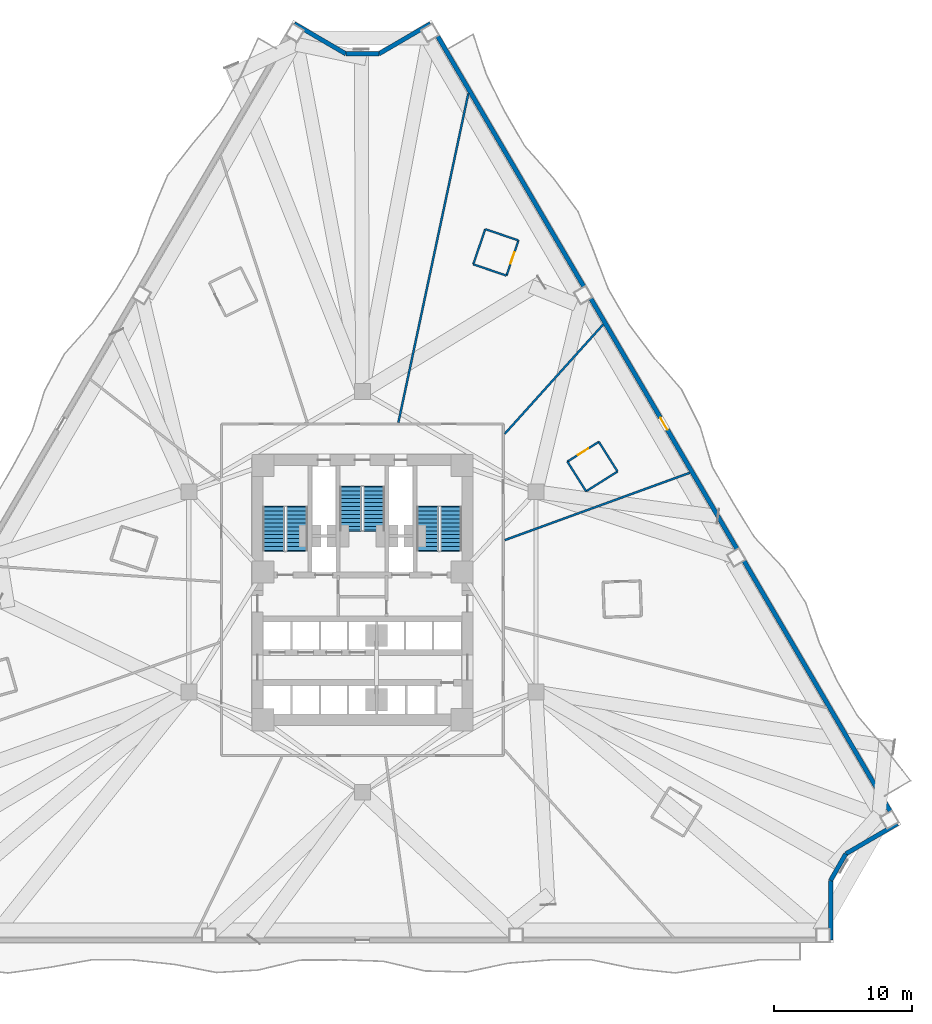
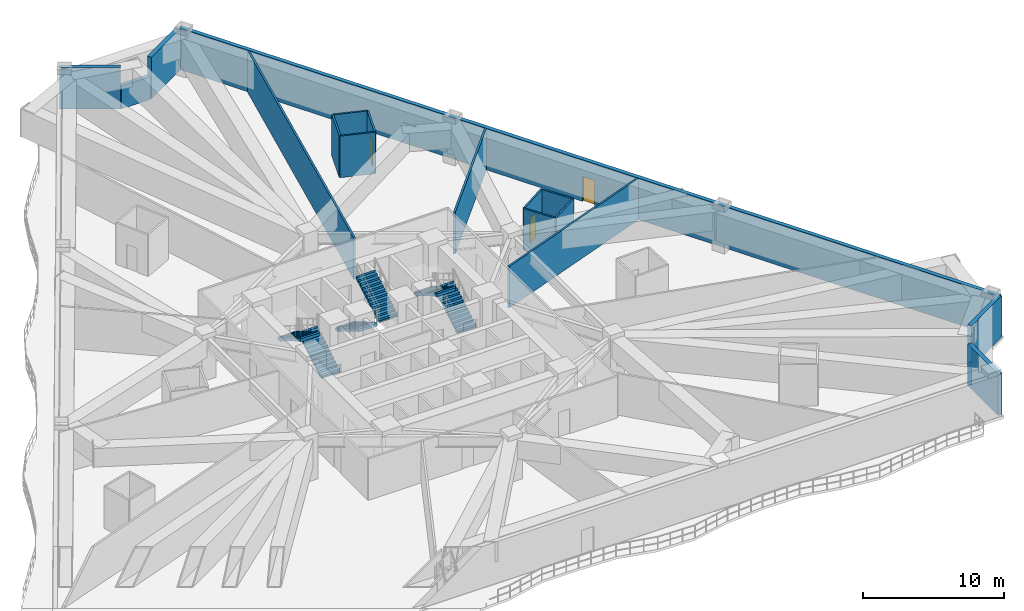
# One storey, part 11 of 16: 18 walls, 6 stair flights, 3 doors, 3 openings, 3 elements without a shape of their own.
"""IFC4 building model written with IfcOpenShell, lengths in metres."""

from ifc_helpers import new_model, si_unit, direction, frame, frame_2d, origin, place, context, subcontext, project, spatial, polyline, rectangle, outline, extrude, material, layer, layer_set, type_object, element, fill, aggregate, save


model = new_model("IFC4")

# Units and contexts
model_context = context("Model", 3, precision=1e-05, world=origin(), true_north=direction((0.0, 1.0)))
body_context = subcontext(model_context, "Body", "Model", "MODEL_VIEW")
ifc_project = project(units=[si_unit("LENGTHUNIT", "METRE"), si_unit("AREAUNIT", "SQUARE_METRE"), si_unit("VOLUMEUNIT", "CUBIC_METRE"), si_unit("PLANEANGLEUNIT", "RADIAN"), si_unit("MASSUNIT", "GRAM", prefix="KILO")], contexts=[model_context])

# Site, building, storey
site_placement = place(None, origin())
site = spatial("IfcSite", under=ifc_project, at=site_placement, CompositionType="ELEMENT")
building_placement = place(site_placement, origin())
building = spatial("IfcBuilding", under=site, at=building_placement, Name="Apsidion Concourse Tower", CompositionType="ELEMENT")
storey_placement = place(building_placement, frame((0.0, 0.0, 58.39990234375)))
storey = spatial("IfcBuildingStorey", under=building, at=storey_placement, Name="L12", CompositionType="ELEMENT", Elevation=58.39990234375)

# Wall, opening, door
ifc_material_1 = material(Name="Precast concrete C40/50", Category="concrete")
ifc_layer_1 = layer(ifc_material_1, 0.320068359375)
ifc_layer_set_1 = layer_set([ifc_layer_1], Name="Precast concrete C40/50")
wall_type_1 = type_object("IfcWallType", Name="WL-EXT-320", PredefinedType="STANDARD", material=ifc_layer_set_1)
wall_1_placement = place(storey_placement, frame((4.9228515625, 41.121826171875, 0.0), z_axis=(0.0, 0.0, 1.0), x_axis=(0.504213113214, -0.863579258935, 0.0)))
wall_1 = element("IfcWall", 1, at=wall_1_placement, inside=storey, type_object=wall_type_1, Name="L12 Precast Stone Facade Wall 01", PredefinedType="STANDARD", context=body_context, shape_type="SweptSolid", body=[
    extrude(rectangle(XDim=67.041015625, YDim=0.320068359375, at=frame_2d((33.5205078125, 0.0))), origin(), (0.0, 0.0, 1.0), 3.60009765625),
])
opening_1_placement = place(wall_1_placement, frame((33.0205078125, 0.0, 0.0)))
opening_1 = element("IfcOpeningElement", 2, at=opening_1_placement, cuts=wall_1, Name="Opening D-T1L", PredefinedType="OPENING", context=body_context, shape_type="SweptSolid", body=[
    extrude(rectangle(XDim=1.0, YDim=2.14990234375, at=frame_2d((0.5, 1.074951171875))), frame((0.0, 0.169921875, 0.0), z_axis=(0.0, -1.0, 0.0), x_axis=(1.0, 0.0, 0.0)), (0.0, 0.0, 1.0), 0.340087890625),
])
ifc_material_2 = material(Name="Anodised aluminium EN AW-6063 T6", Category="aluminium")
door_type_1 = type_object("IfcDoorType", Name="DR-TER-1022L", OperationType="SINGLE_SWING_LEFT", PredefinedType="DOOR", material=ifc_material_2)
door_1_placement = place(opening_1_placement, origin())
door_1 = element("IfcDoor", 3, at=door_1_placement, inside=storey, type_object=door_type_1, Name="L12 Balcony Access Door 3", OperationType="SINGLE_SWING_LEFT", OverallHeight=2.14990234375, OverallWidth=1.0, PredefinedType="DOOR", context=body_context, shape_type="SweptSolid", body=[
    extrude(rectangle(XDim=1.0, YDim=2.14990234375, at=frame_2d((0.5, 1.074951171875))), frame((0.0, 0.02490234375, 0.0), z_axis=(0.0, -1.0, 0.0), x_axis=(1.0, 0.0, 0.0)), (0.0, 0.0, 1.0), 0.050048828125),
])
fill(opening_1, door_1)

# Walls
wall_2_placement = place(storey_placement, frame((38.725830078125, -16.7734375, 0.0), z_axis=(0.0, 0.0, 1.0), x_axis=(-0.863569936823, -0.504229079105, 0.0)))
element("IfcWall", 4, at=wall_2_placement, inside=storey, type_object=wall_type_1, Name="L12 Precast Stone Facade Wall 02", PredefinedType="STANDARD", context=body_context, shape_type="SweptSolid", body=[
    extrude(rectangle(XDim=4.32373046875, YDim=0.320068359375, at=frame_2d((2.161865234375, 0.0))), origin(), (0.0, 0.0, 1.0), 3.60009765625),
])
wall_3_placement = place(storey_placement, frame((34.991943359375, -18.95361328125, 0.0), z_axis=(0.0, 0.0, 1.0), x_axis=(-0.497881323344, -0.867245171717, 0.0)))
element("IfcWall", 5, at=wall_3_placement, inside=storey, type_object=wall_type_1, Name="L12 Precast Stone Facade Wall 03", PredefinedType="STANDARD", context=body_context, shape_type="SweptSolid", body=[
    extrude(rectangle(XDim=2.216796875, YDim=0.320068359375, at=frame_2d((1.1083984375, 0.0))), origin(), (0.0, 0.0, 1.0), 1.97998046875),
])
wall_4_placement = place(storey_placement, frame((33.88818359375, -20.876220703125, 0.0), z_axis=(0.0, 0.0, 1.0), x_axis=(0.0, -1.0, 0.0)))
element("IfcWall", 6, at=wall_4_placement, inside=storey, type_object=wall_type_1, Name="L12 Precast Stone Facade Wall 04", PredefinedType="STANDARD", context=body_context, shape_type="SweptSolid", body=[
    extrude(rectangle(XDim=4.32373046875, YDim=0.320068359375, at=frame_2d((2.161865234375, 0.0))), origin(), (0.0, 0.0, 1.0), 3.60009765625),
])
wall_5_placement = place(storey_placement, frame((-4.9228515625, 41.121826171875, 0.0), z_axis=(0.0, 0.0, 1.0), x_axis=(0.863588414101, -0.50419743259, 0.0)))
element("IfcWall", 7, at=wall_5_placement, inside=storey, type_object=wall_type_1, Name="L12 Precast Stone Facade Wall 10", PredefinedType="STANDARD", context=body_context, shape_type="SweptSolid", body=[
    extrude(rectangle(XDim=4.324462890625, YDim=0.320068359375, at=frame_2d((2.162109375, 0.0))), origin(), (0.0, 0.0, 1.0), 3.60009765625),
])
wall_6_placement = place(storey_placement, frame((-1.188232421875, 38.94140625, 0.0), z_axis=(0.0, 0.0, 1.0), x_axis=(1.0, 0.0, 0.0)))
element("IfcWall", 8, at=wall_6_placement, inside=storey, type_object=wall_type_1, Name="L12 Precast Stone Facade Wall 11", PredefinedType="STANDARD", context=body_context, shape_type="SweptSolid", body=[
    extrude(rectangle(XDim=2.37646484375, YDim=0.320068359375, at=frame_2d((1.188232421875, 0.0))), origin(), (0.0, 0.0, 1.0), 1.97998046875),
])
wall_7_placement = place(storey_placement, frame((1.188232421875, 38.94140625, 0.0), z_axis=(0.0, 0.0, 1.0), x_axis=(0.863588414101, 0.50419743259, 0.0)))
element("IfcWall", 9, at=wall_7_placement, inside=storey, type_object=wall_type_1, Name="L12 Precast Stone Facade Wall 12", PredefinedType="STANDARD", context=body_context, shape_type="SweptSolid", body=[
    extrude(rectangle(XDim=4.324462890625, YDim=0.320068359375, at=frame_2d((2.162109375, 0.0))), origin(), (0.0, 0.0, 1.0), 3.60009765625),
])
ifc_material_3 = material(Name="Gypsum plasterboard partition")
ifc_layer_2 = layer(ifc_material_3, 0.139892578125)
ifc_layer_set_2 = layer_set([ifc_layer_2], Name="Gypsum plasterboard partition")
wall_type_2 = type_object("IfcWallType", Name="WL-INT-PAR-140", PredefinedType="PARTITIONING", material=ifc_layer_set_2)
wall_8_placement = place(storey_placement, frame((16.19287109375, 7.283203125, 0.0), z_axis=(0.0, 0.0, 1.0), x_axis=(0.846152501914, 0.532940844282, 0.0)))
element("IfcWall", 10, at=wall_8_placement, inside=storey, type_object=wall_type_2, Name="L12 Interior Partition WL-L12-POD-ENS06-S1", PredefinedType="PARTITIONING", context=body_context, shape_type="SweptSolid", body=[
    extrude(rectangle(XDim=2.68994140625, YDim=0.139892578125, at=frame_2d((1.344970703125, 0.0))), origin(), (0.0, 0.0, 1.0), 3.60009765625),
])
wall_9_placement = place(storey_placement, frame((18.468994140625, 8.716796875, 0.0), z_axis=(0.0, 0.0, 1.0), x_axis=(-0.53290759563, 0.846173442339, 0.0)))
element("IfcWall", 11, at=wall_9_placement, inside=storey, type_object=wall_type_2, Name="L12 Interior Partition WL-L12-POD-ENS06-S2", PredefinedType="PARTITIONING", context=body_context, shape_type="SweptSolid", body=[
    extrude(rectangle(XDim=2.539794921875, YDim=0.139892578125, at=frame_2d((1.27001953125, 0.0))), origin(), (0.0, 0.0, 1.0), 3.60009765625),
])

# Wall, opening, door
wall_10_placement = place(storey_placement, frame((17.115478515625, 10.865966796875, 0.0), z_axis=(0.0, 0.0, 1.0), x_axis=(-0.846193429407, -0.532875857991, 0.0)))
wall_10 = element("IfcWall", 12, at=wall_10_placement, inside=storey, type_object=wall_type_2, Name="L12 Interior Partition WL-L12-POD-ENS06-S3", PredefinedType="PARTITIONING", context=body_context, shape_type="SweptSolid", body=[
    extrude(rectangle(XDim=2.68994140625, YDim=0.139892578125, at=frame_2d((1.344970703125, 0.0))), origin(), (0.0, 0.0, 1.0), 3.60009765625),
])
opening_2_placement = place(wall_10_placement, frame((0.905029296875, 0.0, 0.0)))
opening_2 = element("IfcOpeningElement", 13, at=opening_2_placement, cuts=wall_10, Name="Opening D-03L", PredefinedType="OPENING", context=body_context, shape_type="SweptSolid", body=[
    extrude(rectangle(XDim=0.8798828125, YDim=2.10009765625, at=frame_2d((0.43994140625, 1.050048828125))), frame((0.0, 0.080078125, 0.0), z_axis=(0.0, -1.0, 0.0), x_axis=(1.0, 0.0, 0.0)), (0.0, 0.0, 1.0), 0.159912109375),
])
door_type_2 = type_object("IfcDoorType", Name="DR-INT-D03L", OperationType="SINGLE_SWING_LEFT", PredefinedType="DOOR", material=ifc_material_2)
door_2_placement = place(opening_2_placement, origin())
door_2 = element("IfcDoor", 14, at=door_2_placement, inside=storey, type_object=door_type_2, Name="L12 Guest En-Suite Bathroom Door ENS06", OperationType="SINGLE_SWING_LEFT", OverallHeight=2.10009765625, OverallWidth=0.8798828125, PredefinedType="DOOR", context=body_context, shape_type="SweptSolid", body=[
    extrude(rectangle(XDim=0.8798828125, YDim=2.10009765625, at=frame_2d((0.43994140625, 1.050048828125))), frame((0.0, 0.02490234375, 0.0), z_axis=(0.0, -1.0, 0.0), x_axis=(1.0, 0.0, 0.0)), (0.0, 0.0, 1.0), 0.050048828125),
])
fill(opening_2, door_2)

# Wall
wall_11_placement = place(storey_placement, frame((14.83935546875, 9.4326171875, 0.0), z_axis=(0.0, 0.0, 1.0), x_axis=(0.532864253358, -0.846200737115, 0.0)))
element("IfcWall", 15, at=wall_11_placement, inside=storey, type_object=wall_type_2, Name="L12 Interior Partition WL-L12-POD-ENS06-S4", PredefinedType="PARTITIONING", context=body_context, shape_type="SweptSolid", body=[
    extrude(rectangle(XDim=2.5400390625, YDim=0.139892578125, at=frame_2d((1.27001953125, 0.0))), origin(), (0.0, 0.0, 1.0), 3.60009765625),
])

# Wall, opening, door
wall_12_placement = place(storey_placement, frame((10.42822265625, 22.892578125, 0.0), z_axis=(0.0, 0.0, 1.0), x_axis=(0.323922868878, 0.946083492625, 0.0)))
wall_12 = element("IfcWall", 16, at=wall_12_placement, inside=storey, type_object=wall_type_2, Name="L12 Interior Partition WL-L12-POD-ENS07-S1", PredefinedType="PARTITIONING", context=body_context, shape_type="SweptSolid", body=[
    extrude(rectangle(XDim=2.68994140625, YDim=0.139892578125, at=frame_2d((1.344970703125, 0.0))), origin(), (0.0, 0.0, 1.0), 3.60009765625),
])
opening_3_placement = place(wall_12_placement, frame((0.905029296875, 0.0, 0.0)))
opening_3 = element("IfcOpeningElement", 17, at=opening_3_placement, cuts=wall_12, Name="Opening D-03R", PredefinedType="OPENING", context=body_context, shape_type="SweptSolid", body=[
    extrude(rectangle(XDim=0.8798828125, YDim=2.10009765625, at=frame_2d((0.43994140625, 1.050048828125))), frame((0.0, 0.080078125, 0.0), z_axis=(0.0, -1.0, 0.0), x_axis=(1.0, 0.0, 0.0)), (0.0, 0.0, 1.0), 0.159912109375),
])
door_type_3 = type_object("IfcDoorType", Name="DR-INT-D03R", OperationType="SINGLE_SWING_RIGHT", PredefinedType="DOOR", material=ifc_material_2)
door_3_placement = place(opening_3_placement, origin())
door_3 = element("IfcDoor", 18, at=door_3_placement, inside=storey, type_object=door_type_3, Name="L12 Guest En-Suite Bathroom Door ENS07", OperationType="SINGLE_SWING_RIGHT", OverallHeight=2.10009765625, OverallWidth=0.8798828125, PredefinedType="DOOR", context=body_context, shape_type="SweptSolid", body=[
    extrude(rectangle(XDim=0.8798828125, YDim=2.10009765625, at=frame_2d((0.43994140625, 1.050048828125))), frame((0.0, 0.02490234375, 0.0), z_axis=(0.0, -1.0, 0.0), x_axis=(1.0, 0.0, 0.0)), (0.0, 0.0, 1.0), 0.050048828125),
])
fill(opening_3, door_3)

# Walls
wall_13_placement = place(storey_placement, frame((11.299560546875, 25.4375, 0.0), z_axis=(0.0, 0.0, 1.0), x_axis=(-0.946085716499, 0.323916373524, 0.0)))
element("IfcWall", 19, at=wall_13_placement, inside=storey, type_object=wall_type_2, Name="L12 Interior Partition WL-L12-POD-ENS07-S2", PredefinedType="PARTITIONING", context=body_context, shape_type="SweptSolid", body=[
    extrude(rectangle(XDim=2.5400390625, YDim=0.139892578125, at=frame_2d((1.27001953125, 0.0))), origin(), (0.0, 0.0, 1.0), 3.60009765625),
])
wall_14_placement = place(storey_placement, frame((8.896484375, 26.26025390625, 0.0), z_axis=(0.0, 0.0, 1.0), x_axis=(-0.323922868878, -0.946083492625, 0.0)))
element("IfcWall", 20, at=wall_14_placement, inside=storey, type_object=wall_type_2, Name="L12 Interior Partition WL-L12-POD-ENS07-S3", PredefinedType="PARTITIONING", context=body_context, shape_type="SweptSolid", body=[
    extrude(rectangle(XDim=2.68994140625, YDim=0.139892578125, at=frame_2d((1.344970703125, 0.0))), origin(), (0.0, 0.0, 1.0), 3.60009765625),
])
wall_15_placement = place(storey_placement, frame((8.025146484375, 23.71533203125, 0.0), z_axis=(0.0, 0.0, 1.0), x_axis=(0.946085716499, -0.323916373524, 0.0)))
element("IfcWall", 21, at=wall_15_placement, inside=storey, type_object=wall_type_2, Name="L12 Interior Partition WL-L12-POD-ENS07-S4", PredefinedType="PARTITIONING", context=body_context, shape_type="SweptSolid", body=[
    extrude(rectangle(XDim=2.5400390625, YDim=0.139892578125, at=frame_2d((1.27001953125, 0.0))), origin(), (0.0, 0.0, 1.0), 3.60009765625),
])
ifc_layer_3 = layer(ifc_material_3, 0.14990234375)
ifc_layer_set_3 = layer_set([ifc_layer_3], Name="Gypsum plasterboard partition")
wall_type_3 = type_object("IfcWallType", Name="WL-INT-PAR-150", PredefinedType="PARTITIONING", material=ifc_layer_set_3)
wall_16_placement = place(storey_placement, frame((10.304931640625, 3.750732421875, 0.0), z_axis=(0.0, 0.0, 1.0), x_axis=(0.93969583409, 0.342011314716, 0.0)))
element("IfcWall", 22, at=wall_16_placement, inside=storey, type_object=wall_type_3, Name="L12 Interior Partition WL-L12-RAD-01-1", PredefinedType="PARTITIONING", context=body_context, shape_type="SweptSolid", body=[
    extrude(rectangle(XDim=14.2490234375, YDim=0.14990234375, at=frame_2d((7.12451171875, 0.0))), origin(), (0.0, 0.0, 1.0), 3.60009765625),
])
wall_17_placement = place(storey_placement, frame((10.304931640625, 11.44482421875, 0.0), z_axis=(0.0, 0.0, 1.0), x_axis=(0.6691357603, 0.743140184815, 0.0)))
element("IfcWall", 23, at=wall_17_placement, inside=storey, type_object=wall_type_3, Name="L12 Interior Partition WL-L12-RAD-02-1", PredefinedType="PARTITIONING", context=body_context, shape_type="SweptSolid", body=[
    extrude(rectangle(XDim=10.64599609375, YDim=0.14990234375, at=frame_2d((5.322998046875, 0.0))), origin(), (0.0, 0.0, 1.0), 3.60009765625),
])
wall_18_placement = place(storey_placement, frame((2.60498046875, 12.2548828125, 0.0), z_axis=(0.0, 0.0, 1.0), x_axis=(0.207909477675, 0.978148071149, 0.0)))
element("IfcWall", 24, at=wall_18_placement, inside=storey, type_object=wall_type_3, Name="L12 Interior Partition WL-L12-RAD-03-1", PredefinedType="PARTITIONING", context=body_context, shape_type="SweptSolid", body=[
    extrude(rectangle(XDim=24.350830078125, YDim=0.14990234375, at=frame_2d((12.17529296875, 0.0))), origin(), (0.0, 0.0, 1.0), 3.60009765625),
])

# Stair, stair flights
stair_type = type_object("IfcStairType", Name="ST-DL-1550", PredefinedType="HALF_TURN_STAIR", material=ifc_material_1)
stair_1_placement = place(storey_placement, origin())
stair_1 = element("IfcStair", 25, at=stair_1_placement, inside=storey, type_object=stair_type, Name="L12 Protected Core Exit Stair ST1", PredefinedType="HALF_TURN_STAIR")
stair_flight_type = type_object("IfcStairFlightType", Name="SFL-RC-1550", PredefinedType="STRAIGHT", material=ifc_material_1)
stair_flight_1_placement = place(storey_placement, frame((-4.72509765625, 3.0, 0.0), z_axis=(0.0, 0.0, 1.0), x_axis=(0.0, 1.0, 0.0)))
stair_flight_1 = element("IfcStairFlight", 26, at=stair_flight_1_placement, type_object=stair_flight_type, Name="ST1 flight 1", NumberOfRisers=12, NumberOfTreads=11, PredefinedType="STRAIGHT", RiserHeight=0.166666667, TreadLength=0.285, context=body_context, shape_type="SweptSolid", body=[
    extrude(outline(polyline([(-0.080078125, -0.1123046875), (-0.080078125, 0.0), (0.0, 0.0), (0.0, 0.166748046875), (0.284912109375, 0.166748046875), (0.284912109375, 0.333251953125), (0.570068359375, 0.333251953125), (0.570068359375, 0.5), (0.85498046875, 0.5), (0.85498046875, 0.666748046875), (1.139892578125, 0.666748046875), (1.139892578125, 0.833251953125), (1.425048828125, 0.833251953125), (1.425048828125, 1.0), (1.7099609375, 1.0), (1.7099609375, 1.166748046875), (1.9951171875, 1.166748046875), (1.9951171875, 1.333251953125), (2.280029296875, 1.333251953125), (2.280029296875, 1.5), (2.56494140625, 1.5), (2.56494140625, 1.666748046875), (2.85009765625, 1.666748046875), (2.85009765625, 1.833251953125), (3.135009765625, 1.833251953125), (3.135009765625, 2.0), (3.215087890625, 1.916748046875), (3.215087890625, 1.65966796875), (3.135009765625, 1.65966796875), (0.296875, 0.0), (0.296875, -0.1123046875), (-0.080078125, -0.1123046875)])), frame((0.0, 0.77490234375, 0.0), z_axis=(0.0, -1.0, 0.0), x_axis=(1.0, 0.0, 0.0)), (0.0, 0.0, 1.0), 1.550048828125),
])
stair_flight_2_placement = place(storey_placement, frame((-6.425048828125, 6.135009765625, 2.0), z_axis=(0.0, 0.0, 1.0), x_axis=(0.0, -1.0, 0.0)))
stair_flight_2 = element("IfcStairFlight", 27, at=stair_flight_2_placement, type_object=stair_flight_type, Name="ST1 flight 2", NumberOfRisers=12, NumberOfTreads=11, PredefinedType="STRAIGHT", RiserHeight=0.166666667, TreadLength=0.285, context=body_context, shape_type="SweptSolid", body=[
    extrude(outline(polyline([(-0.080078125, -0.1123046875), (-0.080078125, 0.0), (0.0, 0.0), (0.0, 0.166748046875), (0.284912109375, 0.166748046875), (0.284912109375, 0.333251953125), (0.570068359375, 0.333251953125), (0.570068359375, 0.5), (0.85498046875, 0.5), (0.85498046875, 0.666748046875), (1.139892578125, 0.666748046875), (1.139892578125, 0.833251953125), (1.425048828125, 0.833251953125), (1.425048828125, 1.0), (1.7099609375, 1.0), (1.7099609375, 1.166748046875), (1.9951171875, 1.166748046875), (1.9951171875, 1.333251953125), (2.280029296875, 1.333251953125), (2.280029296875, 1.5), (2.56494140625, 1.5), (2.56494140625, 1.666748046875), (2.85009765625, 1.666748046875), (2.85009765625, 1.833251953125), (3.135009765625, 1.833251953125), (3.135009765625, 2.0), (3.215087890625, 1.916748046875), (3.215087890625, 1.65966796875), (3.135009765625, 1.65966796875), (0.296875, 0.0), (0.296875, -0.1123046875), (-0.080078125, -0.1123046875)])), frame((0.0, 0.77490234375, 0.0), z_axis=(0.0, -1.0, 0.0), x_axis=(1.0, 0.0, 0.0)), (0.0, 0.0, 1.0), 1.550048828125),
])
aggregate(stair_1, [stair_flight_1, stair_flight_2])

stair_2_placement = place(storey_placement, origin())
stair_2 = element("IfcStair", 28, at=stair_2_placement, inside=storey, type_object=stair_type, Name="L12 Protected Core Exit Stair ST2", PredefinedType="HALF_TURN_STAIR")
stair_flight_3_placement = place(storey_placement, frame((6.425048828125, 3.0, 0.0), z_axis=(0.0, 0.0, 1.0), x_axis=(0.0, 1.0, 0.0)))
stair_flight_3 = element("IfcStairFlight", 29, at=stair_flight_3_placement, type_object=stair_flight_type, Name="ST2 flight 1", NumberOfRisers=12, NumberOfTreads=11, PredefinedType="STRAIGHT", RiserHeight=0.166666667, TreadLength=0.285, context=body_context, shape_type="SweptSolid", body=[
    extrude(outline(polyline([(-0.080078125, -0.1123046875), (-0.080078125, 0.0), (0.0, 0.0), (0.0, 0.166748046875), (0.284912109375, 0.166748046875), (0.284912109375, 0.333251953125), (0.570068359375, 0.333251953125), (0.570068359375, 0.5), (0.85498046875, 0.5), (0.85498046875, 0.666748046875), (1.139892578125, 0.666748046875), (1.139892578125, 0.833251953125), (1.425048828125, 0.833251953125), (1.425048828125, 1.0), (1.7099609375, 1.0), (1.7099609375, 1.166748046875), (1.9951171875, 1.166748046875), (1.9951171875, 1.333251953125), (2.280029296875, 1.333251953125), (2.280029296875, 1.5), (2.56494140625, 1.5), (2.56494140625, 1.666748046875), (2.85009765625, 1.666748046875), (2.85009765625, 1.833251953125), (3.135009765625, 1.833251953125), (3.135009765625, 2.0), (3.215087890625, 1.916748046875), (3.215087890625, 1.65966796875), (3.135009765625, 1.65966796875), (0.296875, 0.0), (0.296875, -0.1123046875), (-0.080078125, -0.1123046875)])), frame((0.0, 0.77490234375, 0.0), z_axis=(0.0, -1.0, 0.0), x_axis=(1.0, 0.0, 0.0)), (0.0, 0.0, 1.0), 1.550048828125),
])
stair_flight_4_placement = place(storey_placement, frame((4.72509765625, 6.135009765625, 2.0), z_axis=(0.0, 0.0, 1.0), x_axis=(0.0, -1.0, 0.0)))
stair_flight_4 = element("IfcStairFlight", 30, at=stair_flight_4_placement, type_object=stair_flight_type, Name="ST2 flight 2", NumberOfRisers=12, NumberOfTreads=11, PredefinedType="STRAIGHT", RiserHeight=0.166666667, TreadLength=0.285, context=body_context, shape_type="SweptSolid", body=[
    extrude(outline(polyline([(-0.080078125, -0.1123046875), (-0.080078125, 0.0), (0.0, 0.0), (0.0, 0.166748046875), (0.284912109375, 0.166748046875), (0.284912109375, 0.333251953125), (0.570068359375, 0.333251953125), (0.570068359375, 0.5), (0.85498046875, 0.5), (0.85498046875, 0.666748046875), (1.139892578125, 0.666748046875), (1.139892578125, 0.833251953125), (1.425048828125, 0.833251953125), (1.425048828125, 1.0), (1.7099609375, 1.0), (1.7099609375, 1.166748046875), (1.9951171875, 1.166748046875), (1.9951171875, 1.333251953125), (2.280029296875, 1.333251953125), (2.280029296875, 1.5), (2.56494140625, 1.5), (2.56494140625, 1.666748046875), (2.85009765625, 1.666748046875), (2.85009765625, 1.833251953125), (3.135009765625, 1.833251953125), (3.135009765625, 2.0), (3.215087890625, 1.916748046875), (3.215087890625, 1.65966796875), (3.135009765625, 1.65966796875), (0.296875, 0.0), (0.296875, -0.1123046875), (-0.080078125, -0.1123046875)])), frame((0.0, 0.77490234375, 0.0), z_axis=(0.0, -1.0, 0.0), x_axis=(1.0, 0.0, 0.0)), (0.0, 0.0, 1.0), 1.550048828125),
])
aggregate(stair_2, [stair_flight_3, stair_flight_4])

stair_3_placement = place(storey_placement, origin())
stair_3 = element("IfcStair", 31, at=stair_3_placement, inside=storey, type_object=stair_type, Name="L12 Protected Core Exit Stair ST3", PredefinedType="HALF_TURN_STAIR")
stair_flight_5_placement = place(storey_placement, frame((-0.85009765625, 7.60009765625, 0.0), z_axis=(0.0, 0.0, 1.0), x_axis=(0.0, -1.0, 0.0)))
stair_flight_5 = element("IfcStairFlight", 32, at=stair_flight_5_placement, type_object=stair_flight_type, Name="ST3 flight 1", NumberOfRisers=12, NumberOfTreads=11, PredefinedType="STRAIGHT", RiserHeight=0.166666667, TreadLength=0.285, context=body_context, shape_type="SweptSolid", body=[
    extrude(outline(polyline([(-0.080078125, -0.1123046875), (-0.080078125, 0.0), (0.0, 0.0), (0.0, 0.166748046875), (0.284912109375, 0.166748046875), (0.284912109375, 0.333251953125), (0.570068359375, 0.333251953125), (0.570068359375, 0.5), (0.85498046875, 0.5), (0.85498046875, 0.666748046875), (1.139892578125, 0.666748046875), (1.139892578125, 0.833251953125), (1.425048828125, 0.833251953125), (1.425048828125, 1.0), (1.7099609375, 1.0), (1.7099609375, 1.166748046875), (1.9951171875, 1.166748046875), (1.9951171875, 1.333251953125), (2.280029296875, 1.333251953125), (2.280029296875, 1.5), (2.56494140625, 1.5), (2.56494140625, 1.666748046875), (2.85009765625, 1.666748046875), (2.85009765625, 1.833251953125), (3.135009765625, 1.833251953125), (3.135009765625, 2.0), (3.215087890625, 1.916748046875), (3.215087890625, 1.65966796875), (3.135009765625, 1.65966796875), (0.296875, 0.0), (0.296875, -0.1123046875), (-0.080078125, -0.1123046875)])), frame((0.0, 0.77490234375, 0.0), z_axis=(0.0, -1.0, 0.0), x_axis=(1.0, 0.0, 0.0)), (0.0, 0.0, 1.0), 1.550048828125),
])
stair_flight_6_placement = place(storey_placement, frame((0.85009765625, 4.465087890625, 2.0), z_axis=(0.0, 0.0, 1.0), x_axis=(0.0, 1.0, 0.0)))
stair_flight_6 = element("IfcStairFlight", 33, at=stair_flight_6_placement, type_object=stair_flight_type, Name="ST3 flight 2", NumberOfRisers=12, NumberOfTreads=11, PredefinedType="STRAIGHT", RiserHeight=0.166666667, TreadLength=0.285, context=body_context, shape_type="SweptSolid", body=[
    extrude(outline(polyline([(-0.080078125, -0.1123046875), (-0.080078125, 0.0), (0.0, 0.0), (0.0, 0.166748046875), (0.284912109375, 0.166748046875), (0.284912109375, 0.333251953125), (0.570068359375, 0.333251953125), (0.570068359375, 0.5), (0.85498046875, 0.5), (0.85498046875, 0.666748046875), (1.139892578125, 0.666748046875), (1.139892578125, 0.833251953125), (1.425048828125, 0.833251953125), (1.425048828125, 1.0), (1.7099609375, 1.0), (1.7099609375, 1.166748046875), (1.9951171875, 1.166748046875), (1.9951171875, 1.333251953125), (2.280029296875, 1.333251953125), (2.280029296875, 1.5), (2.56494140625, 1.5), (2.56494140625, 1.666748046875), (2.85009765625, 1.666748046875), (2.85009765625, 1.833251953125), (3.135009765625, 1.833251953125), (3.135009765625, 2.0), (3.215087890625, 1.916748046875), (3.215087890625, 1.65966796875), (3.135009765625, 1.65966796875), (0.296875, 0.0), (0.296875, -0.1123046875), (-0.080078125, -0.1123046875)])), frame((0.0, 0.77490234375, 0.0), z_axis=(0.0, -1.0, 0.0), x_axis=(1.0, 0.0, 0.0)), (0.0, 0.0, 1.0), 1.550048828125),
])
aggregate(stair_3, [stair_flight_5, stair_flight_6])

save(model, "model.ifc")
